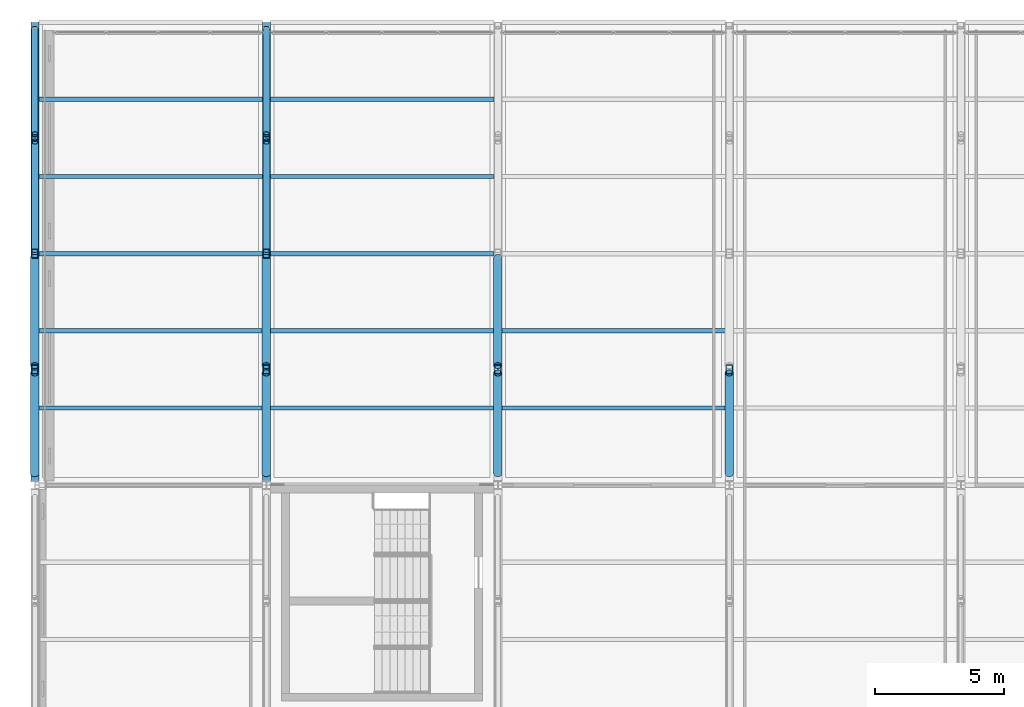
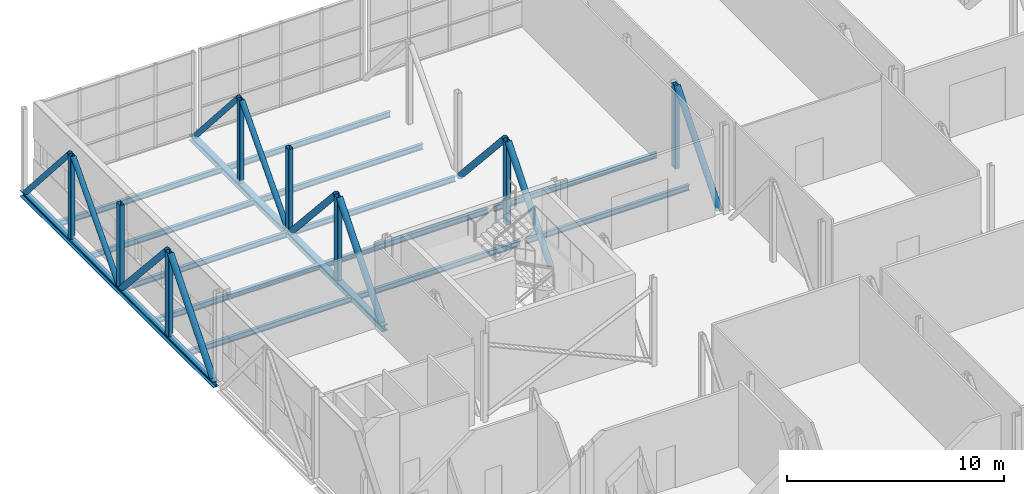
# One storey, part 61 of 94: 19 members, 14 beams.
"""IFC4 building model written with IfcOpenShell, lengths in metres."""

from ifc_helpers import new_model, si_unit, direction, frame, origin, origin_2d, place, context, subcontext, project, spatial, hollow_rectangle, hollow_circle, i_section, extrude, material, material_profile, profile_set, type_object, element, save


model = new_model("IFC4")

# Units and contexts
model_context = context("Model", 3, precision=1e-05, world=origin(), true_north=direction((0.0, 1.0)))
body_context = subcontext(model_context, "Body", "Model", "MODEL_VIEW")
ifc_project = project(units=[si_unit("LENGTHUNIT", "METRE"), si_unit("AREAUNIT", "SQUARE_METRE"), si_unit("VOLUMEUNIT", "CUBIC_METRE"), si_unit("PLANEANGLEUNIT", "RADIAN"), si_unit("MASSUNIT", "GRAM", prefix="KILO")], contexts=[model_context])

# Site, building, storey
site_placement = place(None, origin())
site = spatial("IfcSite", under=ifc_project, at=site_placement, CompositionType="ELEMENT")
building_placement = place(site_placement, origin())
building = spatial("IfcBuilding", under=site, at=building_placement, Name="Shorebreak Coast Museum", CompositionType="ELEMENT")
storey_placement = place(building_placement, frame((0.0, 0.0, 31.0)))
storey = spatial("IfcBuildingStorey", under=building, at=storey_placement, Name="L05", CompositionType="ELEMENT", Elevation=31.0)

# Beams
ifc_material_1 = material(Name="Steel Grade 300", Category="steel")
ifc_material_profile_1 = material_profile(ifc_material_1, i_section(OverallWidth=0.166015625, OverallDepth=0.30712890625, WebThickness=0.006591796875, FlangeThickness=0.01171875, FilletRadius=0.011474609375, at=origin_2d()), Name="310UB46.2")
ifc_profile_set_1 = profile_set([ifc_material_profile_1], Name="Steel Grade 300")
beam_type_1 = type_object("IfcBeamType", Name="Floor girder east-west 310UB46.2", PredefinedType="BEAM", material=ifc_profile_set_1)
for number, where, z_axis, x_axis, name in (
    (1, (54.155517578125, 126.0, -0.32861328125), (1.0, 0.0, 0.0), (0.0, 1.0, 0.0), "Floor girder east-west L05 7R"),
    (2, (63.155517578125, 126.0, -0.32861328125), (1.0, 0.0, 0.0), (0.0, 1.0, 0.0), "Floor girder east-west L05 8R"),
):
    element("IfcBeam", number, at=place(storey_placement, frame(where, z_axis=z_axis, x_axis=x_axis)), inside=storey, type_object=beam_type_1, Name=name, PredefinedType="BEAM", context=body_context, shape_type="SweptSolid", body=[
        extrude(i_section(OverallWidth=0.166015625, OverallDepth=0.30712890625, WebThickness=0.006591796875, FlangeThickness=0.01171875, FilletRadius=0.011474609375, at=origin_2d()), origin(), (0.0, 0.0, 1.0), 8.68896484375),
    ])
ifc_material_2 = material(Name="Steel Grade 300", Category="steel")
ifc_material_profile_2 = material_profile(ifc_material_2, i_section(OverallWidth=0.166015625, OverallDepth=0.30712890625, WebThickness=0.006591796875, FlangeThickness=0.01171875, FilletRadius=0.011474609375, at=origin_2d()), Name="310UB46.2")
ifc_profile_set_2 = profile_set([ifc_material_profile_2], Name="Steel Grade 300")
beam_type_2 = type_object("IfcBeamType", Name="Floor joist 310UB46.2", PredefinedType="JOIST", material=ifc_profile_set_2)
for number, where, z_axis, x_axis, name in (
    (3, (54.155517578125, 120.0, -0.32861328125), (1.0, 0.0, 0.0), (0.0, 1.0, 0.0), "Floor joist L05 bay 7P at 3000 mm"),
    (4, (54.155517578125, 123.0, -0.32861328125), (1.0, 0.0, 0.0), (0.0, 1.0, 0.0), "Floor joist L05 bay 7P at 6000 mm"),
    (5, (63.155517578125, 120.0, -0.32861328125), (1.0, 0.0, 0.0), (0.0, 1.0, 0.0), "Floor joist L05 bay 8P at 3000 mm"),
    (6, (63.155517578125, 123.0, -0.32861328125), (1.0, 0.0, 0.0), (0.0, 1.0, 0.0), "Floor joist L05 bay 8P at 6000 mm"),
    (7, (72.155517578125, 120.0, -0.32861328125), (1.0, 0.0, 0.0), (0.0, 1.0, 0.0), "Floor joist L05 bay 9P at 3000 mm"),
    (8, (72.155517578125, 123.0, -0.32861328125), (1.0, 0.0, 0.0), (0.0, 1.0, 0.0), "Floor joist L05 bay 9P at 6000 mm"),
    (9, (54.155517578125, 129.0, -0.32861328125), (1.0, 0.0, 0.0), (0.0, 1.0, 0.0), "Floor joist L05 bay 7R at 3000 mm"),
    (10, (54.155517578125, 132.0, -0.32861328125), (1.0, 0.0, 0.0), (0.0, 1.0, 0.0), "Floor joist L05 bay 7R at 6000 mm"),
    (11, (63.155517578125, 129.0, -0.32861328125), (1.0, 0.0, 0.0), (0.0, 1.0, 0.0), "Floor joist L05 bay 8R at 3000 mm"),
    (12, (63.155517578125, 132.0, -0.32861328125), (1.0, 0.0, 0.0), (0.0, 1.0, 0.0), "Floor joist L05 bay 8R at 6000 mm"),
):
    element("IfcBeam", number, at=place(storey_placement, frame(where, z_axis=z_axis, x_axis=x_axis)), inside=storey, type_object=beam_type_2, Name=name, PredefinedType="JOIST", context=body_context, shape_type="SweptSolid", body=[
        extrude(i_section(OverallWidth=0.166015625, OverallDepth=0.30712890625, WebThickness=0.006591796875, FlangeThickness=0.01171875, FilletRadius=0.011474609375, at=origin_2d()), origin(), (0.0, 0.0, 1.0), 8.68896484375),
    ])
ifc_material_3 = material(Name="Steel Grade 300", Category="steel")
ifc_material_profile_3 = material_profile(ifc_material_3, i_section(OverallWidth=0.31103515625, OverallDepth=0.3271484375, WebThickness=0.015625, FlangeThickness=0.02490234375, FilletRadius=0.0166015625, at=origin_2d()), Name="310UC158")
ifc_profile_set_3 = profile_set([ifc_material_profile_3], Name="Steel Grade 300")
beam_type_3 = type_object("IfcBeamType", Name="Transfer truss chord 310UC158", PredefinedType="BEAM", material=ifc_profile_set_3)
for number, where, z_axis, x_axis, name in (
    (13, (54.0, 117.16357421875, -0.338623046875), (0.0, 1.0, 0.0), (-1.0, 0.0, 0.0), "Transfer truss TR1 chord C04"),
    (14, (63.0, 117.16357421875, -0.338623046875), (0.0, 1.0, 0.0), (-1.0, 0.0, 0.0), "Transfer truss TR2 chord C04"),
):
    element("IfcBeam", number, at=place(storey_placement, frame(where, z_axis=z_axis, x_axis=x_axis)), inside=storey, type_object=beam_type_3, Name=name, PredefinedType="BEAM", context=body_context, shape_type="SweptSolid", body=[
        extrude(i_section(OverallWidth=0.31103515625, OverallDepth=0.3271484375, WebThickness=0.015625, FlangeThickness=0.02490234375, FilletRadius=0.0166015625, at=origin_2d()), origin(), (0.0, 0.0, 1.0), 17.83642578125),
    ])

# Members
ifc_material_4 = material(Name="Steel Grade C350L0", Category="steel")
ifc_material_profile_4 = material_profile(ifc_material_4, hollow_circle(Radius=0.136474609375, WallThickness=0.00927734375, at=origin_2d()), Name="273.1x9.3 CHS")
ifc_profile_set_4 = profile_set([ifc_material_profile_4], Name="Steel Grade C350L0")
member_type_1 = type_object("IfcMemberType", Name="Transfer truss diagonal 273.1x9.3 CHS", PredefinedType="BRACE", material=ifc_profile_set_4)
member_1_placement = place(storey_placement, frame((54.0, 126.147216796875, -0.175048828125), z_axis=(0.0, 0.668701073602, 0.743531353854), x_axis=(-1.0, 0.0, 0.0)))
element("IfcMember", 15, at=member_1_placement, inside=storey, type_object=member_type_1, Name="Transfer truss TR1 diagonal D08", PredefinedType="BRACE", context=body_context, shape_type="SweptSolid", body=[
    extrude(hollow_circle(Radius=0.136474609375, WallThickness=0.00927734375, at=origin_2d()), origin(), (0.0, 0.0, 1.0), 6.29345703125),
])
member_2_placement = place(storey_placement, frame((54.0, 134.73193359375, -0.175048828125), z_axis=(0.0, -0.658257101964, 0.752793190534), x_axis=(1.0, 0.0, 0.0)))
element("IfcMember", 16, at=member_2_placement, inside=storey, type_object=member_type_1, Name="Transfer truss TR1 diagonal D09", PredefinedType="BRACE", context=body_context, shape_type="SweptSolid", body=[
    extrude(hollow_circle(Radius=0.136474609375, WallThickness=0.00927734375, at=origin_2d()), origin(), (0.0, 0.0, 1.0), 6.216064453125),
])
member_3_placement = place(storey_placement, frame((63.0, 126.147216796875, -0.175048828125), z_axis=(0.0, 0.668701073602, 0.743531353854), x_axis=(-1.0, 0.0, 0.0)))
element("IfcMember", 17, at=member_3_placement, inside=storey, type_object=member_type_1, Name="Transfer truss TR2 diagonal D08", PredefinedType="BRACE", context=body_context, shape_type="SweptSolid", body=[
    extrude(hollow_circle(Radius=0.136474609375, WallThickness=0.00927734375, at=origin_2d()), origin(), (0.0, 0.0, 1.0), 6.29345703125),
])
member_4_placement = place(storey_placement, frame((63.0, 134.73193359375, -0.175048828125), z_axis=(0.0, -0.658257101964, 0.752793190534), x_axis=(1.0, 0.0, 0.0)))
element("IfcMember", 18, at=member_4_placement, inside=storey, type_object=member_type_1, Name="Transfer truss TR2 diagonal D09", PredefinedType="BRACE", context=body_context, shape_type="SweptSolid", body=[
    extrude(hollow_circle(Radius=0.136474609375, WallThickness=0.00927734375, at=origin_2d()), origin(), (0.0, 0.0, 1.0), 6.216064453125),
])
ifc_material_5 = material(Name="Steel Grade C350L0", Category="steel")
ifc_material_profile_5 = material_profile(ifc_material_5, hollow_circle(Radius=0.161865234375, WallThickness=0.009521484375, at=origin_2d()), Name="323.9x9.5 CHS")
ifc_profile_set_5 = profile_set([ifc_material_profile_5], Name="Steel Grade C350L0")
member_type_2 = type_object("IfcMemberType", Name="Transfer truss diagonal 323.9x9.5 CHS", PredefinedType="BRACE", material=ifc_profile_set_5)
member_5_placement = place(storey_placement, frame((54.0, 117.450439453125, -0.175048828125), z_axis=(0.0, 0.641729837353, 0.76693077644), x_axis=(-1.0, 0.0, 0.0)))
element("IfcMember", 19, at=member_5_placement, inside=storey, type_object=member_type_2, Name="Transfer truss TR1 diagonal D06", PredefinedType="BRACE", context=body_context, shape_type="SweptSolid", body=[
    extrude(hollow_circle(Radius=0.161865234375, WallThickness=0.009521484375, at=origin_2d()), origin(), (0.0, 0.0, 1.0), 6.1015625),
])
member_6_placement = place(storey_placement, frame((54.0, 125.852783203125, -0.175048828125), z_axis=(0.0, -0.668701073602, 0.743531353854), x_axis=(1.0, 0.0, 0.0)))
element("IfcMember", 20, at=member_6_placement, inside=storey, type_object=member_type_2, Name="Transfer truss TR1 diagonal D07", PredefinedType="BRACE", context=body_context, shape_type="SweptSolid", body=[
    extrude(hollow_circle(Radius=0.161865234375, WallThickness=0.009521484375, at=origin_2d()), origin(), (0.0, 0.0, 1.0), 6.29345703125),
])
member_7_placement = place(storey_placement, frame((63.0, 117.450439453125, -0.175048828125), z_axis=(0.0, 0.641729837353, 0.76693077644), x_axis=(-1.0, 0.0, 0.0)))
element("IfcMember", 21, at=member_7_placement, inside=storey, type_object=member_type_2, Name="Transfer truss TR2 diagonal D06", PredefinedType="BRACE", context=body_context, shape_type="SweptSolid", body=[
    extrude(hollow_circle(Radius=0.161865234375, WallThickness=0.009521484375, at=origin_2d()), origin(), (0.0, 0.0, 1.0), 6.1015625),
])
member_8_placement = place(storey_placement, frame((63.0, 125.852783203125, -0.175048828125), z_axis=(0.0, -0.668701073602, 0.743531353854), x_axis=(1.0, 0.0, 0.0)))
element("IfcMember", 22, at=member_8_placement, inside=storey, type_object=member_type_2, Name="Transfer truss TR2 diagonal D07", PredefinedType="BRACE", context=body_context, shape_type="SweptSolid", body=[
    extrude(hollow_circle(Radius=0.161865234375, WallThickness=0.009521484375, at=origin_2d()), origin(), (0.0, 0.0, 1.0), 6.29345703125),
])
member_9_placement = place(storey_placement, frame((72.0, 117.450439453125, -0.175048828125), z_axis=(0.0, 0.641729837353, 0.76693077644), x_axis=(-1.0, 0.0, 0.0)))
element("IfcMember", 23, at=member_9_placement, inside=storey, type_object=member_type_2, Name="Transfer truss TR3 diagonal D06", PredefinedType="BRACE", context=body_context, shape_type="SweptSolid", body=[
    extrude(hollow_circle(Radius=0.161865234375, WallThickness=0.009521484375, at=origin_2d()), origin(), (0.0, 0.0, 1.0), 6.1015625),
])
member_10_placement = place(storey_placement, frame((72.0, 125.852783203125, -0.175048828125), z_axis=(0.0, -0.668701073602, 0.743531353854), x_axis=(1.0, 0.0, 0.0)))
element("IfcMember", 24, at=member_10_placement, inside=storey, type_object=member_type_2, Name="Transfer truss TR3 diagonal D07", PredefinedType="BRACE", context=body_context, shape_type="SweptSolid", body=[
    extrude(hollow_circle(Radius=0.161865234375, WallThickness=0.009521484375, at=origin_2d()), origin(), (0.0, 0.0, 1.0), 6.29345703125),
])
member_11_placement = place(storey_placement, frame((81.0, 117.450439453125, -0.175048828125), z_axis=(0.0, 0.641729837353, 0.76693077644), x_axis=(-1.0, 0.0, 0.0)))
element("IfcMember", 25, at=member_11_placement, inside=storey, type_object=member_type_2, Name="Transfer truss TR4 diagonal D06", PredefinedType="BRACE", context=body_context, shape_type="SweptSolid", body=[
    extrude(hollow_circle(Radius=0.161865234375, WallThickness=0.009521484375, at=origin_2d()), origin(), (0.0, 0.0, 1.0), 6.1015625),
])
ifc_material_6 = material(Name="Steel Grade C450L0", Category="steel")
ifc_material_profile_6 = material_profile(ifc_material_6, hollow_rectangle(XDim=0.25, YDim=0.25, WallThickness=0.012451171875, InnerFilletRadius=0.018798828125, OuterFilletRadius=0.03125, at=origin_2d()), Name="250x250x12.5 SHS")
ifc_profile_set_6 = profile_set([ifc_material_profile_6], Name="Steel Grade C450L0")
member_type_3 = type_object("IfcMemberType", Name="Transfer truss strut 250x250x12.5 SHS", PredefinedType="STRUT", material=ifc_profile_set_6)
for number, where, z_axis, x_axis, name in (
    (26, (54.0, 130.5, -0.175048828125), (0.0, 0.0, 1.0), (1.0, 0.0, 0.0), "Transfer truss TR1 strut V06"),
    (27, (63.0, 130.5, -0.175048828125), (0.0, 0.0, 1.0), (1.0, 0.0, 0.0), "Transfer truss TR2 strut V06"),
):
    element("IfcMember", number, at=place(storey_placement, frame(where, z_axis=z_axis, x_axis=x_axis)), inside=storey, type_object=member_type_3, Name=name, PredefinedType="STRUT", context=body_context, shape_type="SweptSolid", body=[
        extrude(hollow_rectangle(XDim=0.25, YDim=0.25, WallThickness=0.012451171875, InnerFilletRadius=0.018798828125, OuterFilletRadius=0.03125, at=origin_2d()), origin(), (0.0, 0.0, 1.0), 4.679443359375),
    ])
ifc_material_7 = material(Name="Steel Grade C450L0", Category="steel")
ifc_material_profile_7 = material_profile(ifc_material_7, hollow_rectangle(XDim=0.25, YDim=0.35009765625, WallThickness=0.012451171875, InnerFilletRadius=0.018798828125, OuterFilletRadius=0.03125, at=origin_2d()), Name="350x250x12.5 RHS")
ifc_profile_set_7 = profile_set([ifc_material_profile_7], Name="Steel Grade C450L0")
member_type_4 = type_object("IfcMemberType", Name="Transfer truss strut 350x250x12.5 RHS", PredefinedType="STRUT", material=ifc_profile_set_7)
for number, where, z_axis, x_axis, name in (
    (28, (54.0, 121.5, -0.175048828125), (0.0, 0.0, 1.0), (1.0, 0.0, 0.0), "Transfer truss TR1 strut V04"),
    (29, (54.0, 126.0, -0.175048828125), (0.0, 0.0, 1.0), (1.0, 0.0, 0.0), "Transfer truss TR1 strut V05"),
    (30, (63.0, 121.5, -0.175048828125), (0.0, 0.0, 1.0), (1.0, 0.0, 0.0), "Transfer truss TR2 strut V04"),
    (31, (63.0, 126.0, -0.175048828125), (0.0, 0.0, 1.0), (1.0, 0.0, 0.0), "Transfer truss TR2 strut V05"),
    (32, (72.0, 121.5, -0.175048828125), (0.0, 0.0, 1.0), (1.0, 0.0, 0.0), "Transfer truss TR3 strut V04"),
    (33, (81.0, 121.5, -0.175048828125), (0.0, 0.0, 1.0), (1.0, 0.0, 0.0), "Transfer truss TR4 strut V04"),
):
    element("IfcMember", number, at=place(storey_placement, frame(where, z_axis=z_axis, x_axis=x_axis)), inside=storey, type_object=member_type_4, Name=name, PredefinedType="STRUT", context=body_context, shape_type="SweptSolid", body=[
        extrude(hollow_rectangle(XDim=0.25, YDim=0.35009765625, WallThickness=0.012451171875, InnerFilletRadius=0.018798828125, OuterFilletRadius=0.03125, at=origin_2d()), origin(), (0.0, 0.0, 1.0), 4.679443359375),
    ])

save(model, "model.ifc")
